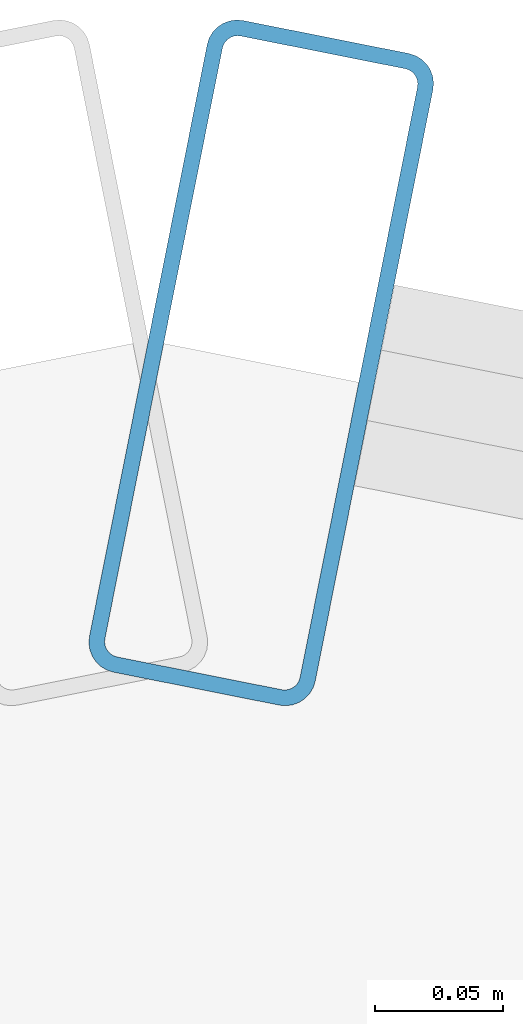
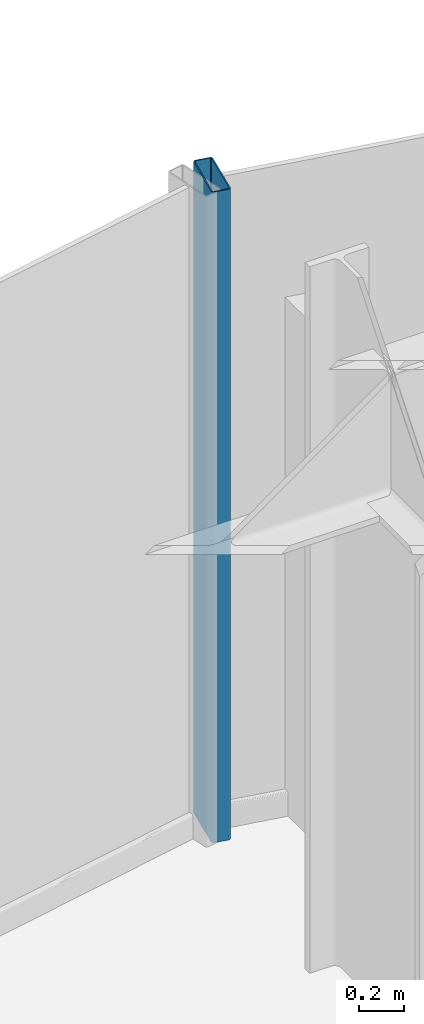
# One storey, part 15 of 26: 1 member, 1 element without a shape of its own.
"""IFC4 building model written with IfcOpenShell, lengths in metres."""

from ifc_helpers import new_model, si_unit, direction, frame, origin, origin_2d, place, context, subcontext, project, spatial, hollow_rectangle, extrude, source, transform, mapped, material, layer, layer_set, material_profile, profile_set, type_object, element, aggregate, save


model = new_model("IFC4")

# Units and contexts
model_context = context("Model", 3, precision=1e-05, world=origin(), true_north=direction((0.0, 1.0)))
body_context = subcontext(model_context, "Body", "Model", "MODEL_VIEW")
ifc_project = project(units=[si_unit("LENGTHUNIT", "METRE"), si_unit("AREAUNIT", "SQUARE_METRE"), si_unit("VOLUMEUNIT", "CUBIC_METRE"), si_unit("PLANEANGLEUNIT", "RADIAN"), si_unit("MASSUNIT", "GRAM", prefix="KILO")], contexts=[model_context])

# Site, building, storey
site_placement = place(None, origin())
site = spatial("IfcSite", under=ifc_project, at=site_placement, CompositionType="ELEMENT")
building_placement = place(site_placement, origin())
building = spatial("IfcBuilding", under=site, at=building_placement, Name="Nefas-Gora Pilgrimage Tower", CompositionType="ELEMENT")
storey_placement = place(building_placement, frame((0.0, 0.0, 82.39990234375)))
storey = spatial("IfcBuildingStorey", under=building, at=storey_placement, Name="L19", CompositionType="ELEMENT", Elevation=82.39990234375)

# Curtain wall, member
ifc_material_1 = material(Name="Dark ceramic-fritted solar-control aluminium-glass curtain wall", Category="aluminium")
ifc_layer = layer(ifc_material_1, 0.219970703125)
ifc_layer_set = layer_set([ifc_layer], Name="Dark ceramic-fritted solar-control aluminium-glass curtain wall")
curtain_wall_type = type_object("IfcCurtainWallType", Name="CW-SYS-5", PredefinedType="NOTDEFINED", material=ifc_layer_set)
curtain_wall_placement = place(storey_placement, origin())
curtain_wall = element("IfcCurtainWall", 1, at=curtain_wall_placement, inside=storey, type_object=curtain_wall_type, Name="L19 Unitised Curtain Wall CW5", PredefinedType="NOTDEFINED")
ifc_material_2 = material(Name="Anodised architectural aluminium", Category="aluminium")
ifc_material_profile = material_profile(ifc_material_2, hollow_rectangle(XDim=0.090087890625, YDim=0.260009765625, WallThickness=0.006103515625, InnerFilletRadius=0.006103515625, OuterFilletRadius=0.011962890625, at=origin_2d()), Name="ALU MULLION 90x260")
ifc_profile_set = profile_set([ifc_material_profile], Name="Anodised architectural aluminium")
member_type = type_object("IfcMemberType", Name="CWM-MUL-5", PredefinedType="MULLION", material=ifc_profile_set)
shared_shape = source(origin(), body_context, "Body", "SweptSolid", [
    extrude(hollow_rectangle(XDim=0.090087890625, YDim=0.260009765625, WallThickness=0.006103515625, InnerFilletRadius=0.006103515625, OuterFilletRadius=0.011962890625, at=origin_2d()), origin(), (0.0, 0.0, 1.0), 3.5),
])
member_placement = place(storey_placement, frame((-2.205810546875, 24.16357421875, 0.0), z_axis=(0.0, 0.0, 1.0), x_axis=(-0.980782896852, 0.195102304554, 0.0)))
member = element("IfcMember", 2, at=member_placement, type_object=member_type, Name="CW5 Mullion 2", PredefinedType="MULLION", context=body_context, shape_type="MappedRepresentation", body=[
    mapped(shared_shape, transform((0.0, 0.0, 0.0), x_axis=(1.0, 0.0, 0.0), y_axis=(0.0, 1.0, 0.0), z_axis=(0.0, 0.0, 1.0), scale=1.0)),
])
aggregate(curtain_wall, [member])

save(model, "model.ifc")
